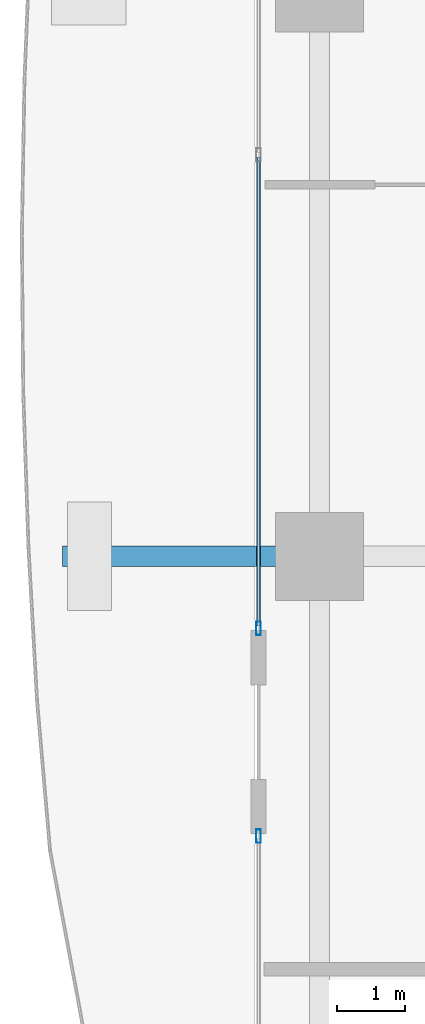
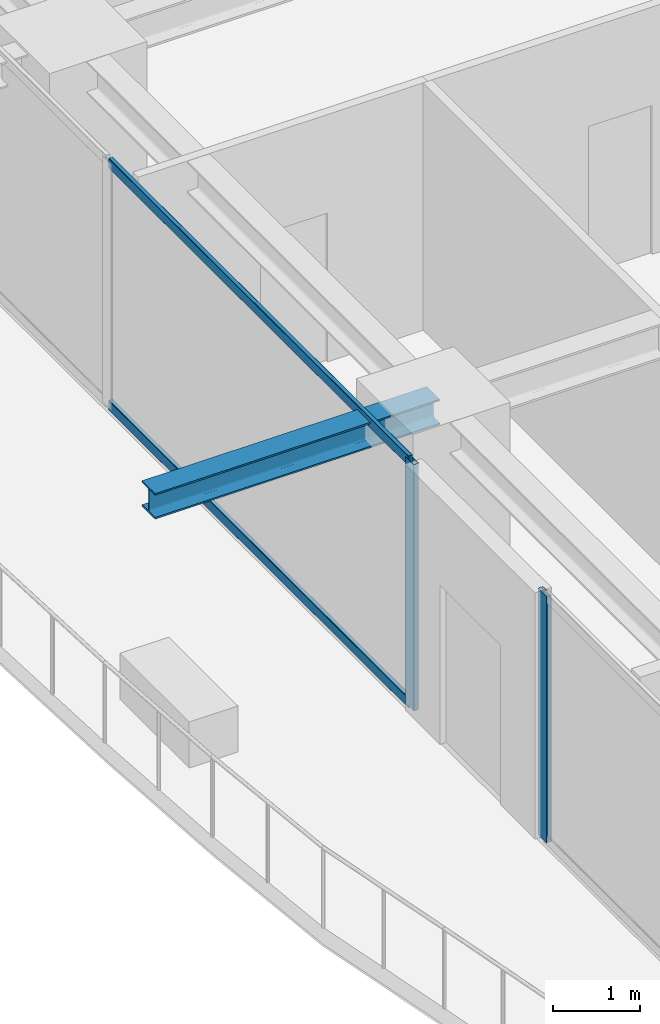
# One storey, part 8 of 38: 4 members, 1 beam, 2 elements without a shape of their own.
"""IFC4 building model written with IfcOpenShell, lengths in metres."""

from ifc_helpers import new_model, si_unit, direction, frame, origin, origin_2d, place, context, subcontext, project, spatial, hollow_rectangle, i_section, extrude, source, transform, mapped, material, layer, layer_set, material_profile, profile_set, type_object, element, aggregate, save


model = new_model("IFC4")

# Units and contexts
model_context = context("Model", 3, precision=1e-05, world=origin(), true_north=direction((0.0, 1.0)))
body_context = subcontext(model_context, "Body", "Model", "MODEL_VIEW")
ifc_project = project(units=[si_unit("LENGTHUNIT", "METRE"), si_unit("AREAUNIT", "SQUARE_METRE"), si_unit("VOLUMEUNIT", "CUBIC_METRE"), si_unit("PLANEANGLEUNIT", "RADIAN"), si_unit("MASSUNIT", "GRAM", prefix="KILO")], contexts=[model_context])

# Site, building, storey
site_placement = place(None, origin())
site = spatial("IfcSite", under=ifc_project, at=site_placement, CompositionType="ELEMENT")
building_placement = place(site_placement, origin())
building = spatial("IfcBuilding", under=site, at=building_placement, Name="Serunith Strait Residences", CompositionType="ELEMENT")
storey_placement = place(building_placement, frame((0.0, 0.0, 183.89990234375)))
storey = spatial("IfcBuildingStorey", under=building, at=storey_placement, Name="L46", CompositionType="ELEMENT", Elevation=183.89990234375)

# Beam
ifc_material_1 = material(Name="Steel S355J2", Category="steel")
ifc_material_profile_1 = material_profile(ifc_material_1, i_section(OverallWidth=0.300048828125, OverallDepth=0.360107421875, WebThickness=0.012451171875, FlangeThickness=0.0224609375, FilletRadius=0.027099609375, at=origin_2d()), Name="HEB 360")
ifc_profile_set_1 = profile_set([ifc_material_profile_1], Name="Steel S355J2")
beam_type = type_object("IfcBeamType", Name="BM-HEB360", PredefinedType="BEAM", material=ifc_profile_set_1)
shared_shape_1 = source(origin(), body_context, "Body", "SweptSolid", [
    extrude(i_section(OverallWidth=0.300048828125, OverallDepth=0.360107421875, WebThickness=0.012451171875, FlangeThickness=0.0224609375, FilletRadius=0.027099609375, at=origin_2d()), origin(), (0.0, 0.0, 1.0), 3.800048828125),
])
beam_placement = place(storey_placement, frame((8.699951171875, 21.0, 3.277099609375), z_axis=(-1.0, 0.0, 0.0), x_axis=(0.0, -1.0, 0.0)))
element("IfcBeam", 1, at=beam_placement, inside=storey, type_object=beam_type, Name="L47 Cantilevered Balcony Rib TC-W2", PredefinedType="BEAM", context=body_context, shape_type="MappedRepresentation", body=[
    mapped(shared_shape_1, transform((0.0, 0.0, 0.0), scale=1.0)),
])

# Curtain wall, member
ifc_material_2 = material(Name="Pale-Champagne Anodised Aluminium", Category="aluminium")
ifc_layer = layer(ifc_material_2, 0.199951171875, Name="Pale-Champagne Anodised Aluminium")
ifc_layer_set = layer_set([ifc_layer], Name="Pale-Champagne Anodised Aluminium")
curtain_wall_type = type_object("IfcCurtainWallType", Name="CW-SYS2", PredefinedType="NOTDEFINED", material=ifc_layer_set)
curtain_wall_1_placement = place(storey_placement, origin())
curtain_wall_1 = element("IfcCurtainWall", 2, at=curtain_wall_1_placement, inside=storey, type_object=curtain_wall_type, Name="L46 W Unitised Fritted Curtain Wall", PredefinedType="NOTDEFINED")
ifc_material_profile_2 = material_profile(ifc_material_2, hollow_rectangle(XDim=0.070068359375, YDim=0.199951171875, WallThickness=0.00390625, InnerFilletRadius=0.006103515625, OuterFilletRadius=0.010009765625, at=origin_2d()), Name="ALU 200x70x4")
ifc_profile_set_2 = profile_set([ifc_material_profile_2], Name="Pale-Champagne Anodised Aluminium")
member_type_1 = type_object("IfcMemberType", Name="CW-SYS2-MULL", PredefinedType="MULLION", material=ifc_profile_set_2)
shared_shape_2 = source(origin(), body_context, "Body", "SweptSolid", [
    extrude(hollow_rectangle(XDim=0.070068359375, YDim=0.199951171875, WallThickness=0.00390625, InnerFilletRadius=0.006103515625, OuterFilletRadius=0.010009765625, at=origin_2d()), origin(), (0.0, 0.0, 1.0), 3.47509765625),
])
member_1_placement = place(storey_placement, frame((7.800048828125, 19.93505859375, 0.0), z_axis=(0.0, 0.0, 1.0), x_axis=(1.0, 0.0, 0.0)))
member_1 = element("IfcMember", 3, at=member_1_placement, type_object=member_type_1, Name="CW-2 mullion 4", PredefinedType="MULLION", context=body_context, shape_type="MappedRepresentation", body=[
    mapped(shared_shape_2, transform((0.0, 0.0, 0.0), scale=1.0)),
])

curtain_wall_2_placement = place(storey_placement, origin())
curtain_wall_2 = element("IfcCurtainWall", 4, at=curtain_wall_2_placement, inside=storey, type_object=curtain_wall_type, Name="L46 W Unitised Fritted Curtain Wall", PredefinedType="NOTDEFINED")
member_2_placement = place(storey_placement, frame((7.800048828125, 16.864990234375, 0.0), z_axis=(0.0, 0.0, 1.0), x_axis=(1.0, 0.0, 0.0)))
member_2 = element("IfcMember", 5, at=member_2_placement, type_object=member_type_1, Name="CW-2 mullion 1", PredefinedType="MULLION", context=body_context, shape_type="MappedRepresentation", body=[
    mapped(shared_shape_2, transform((0.0, 0.0, 0.0), scale=1.0)),
])
aggregate(curtain_wall_2, [member_2])

# Member
ifc_material_profile_3 = material_profile(ifc_material_2, hollow_rectangle(XDim=0.06005859375, YDim=0.139892578125, WallThickness=0.00341796875, InnerFilletRadius=0.00537109375, OuterFilletRadius=0.0087890625, at=origin_2d()), Name="ALU 140x60x3.5")
ifc_profile_set_3 = profile_set([ifc_material_profile_3], Name="Pale-Champagne Anodised Aluminium")
member_type_2 = type_object("IfcMemberType", Name="CW-SYS2-TRAN", PredefinedType="USERDEFINED", material=ifc_profile_set_3)
shared_shape_3 = source(origin(), body_context, "Body", "SweptSolid", [
    extrude(hollow_rectangle(XDim=0.06005859375, YDim=0.139892578125, WallThickness=0.00341796875, InnerFilletRadius=0.00537109375, OuterFilletRadius=0.0087890625, at=origin_2d()), origin(), (0.0, 0.0, 1.0), 6.928466796875),
])
member_3_placement = place(storey_placement, frame((7.800048828125, 26.8984375, 0.030029296875), z_axis=(0.0, -1.0, 0.0), x_axis=(1.0, 0.0, 0.0)))
member_3 = element("IfcMember", 6, at=member_3_placement, type_object=member_type_2, Name="CW-2 transom 3.1", ObjectType="TRANSOM", PredefinedType="USERDEFINED", context=body_context, shape_type="MappedRepresentation", body=[
    mapped(shared_shape_3, transform((0.0, 0.0, 0.0), scale=1.0)),
])

member_4_placement = place(storey_placement, frame((7.800048828125, 26.8984375, 3.445068359375), z_axis=(0.0, -1.0, 0.0), x_axis=(1.0, 0.0, 0.0)))
member_4 = element("IfcMember", 7, at=member_4_placement, type_object=member_type_2, Name="CW-2 transom 3.2", ObjectType="TRANSOM", PredefinedType="USERDEFINED", context=body_context, shape_type="MappedRepresentation", body=[
    mapped(shared_shape_3, transform((0.0, 0.0, 0.0), scale=1.0)),
])

aggregate(curtain_wall_1, [member_1, member_3, member_4])

save(model, "model.ifc")
